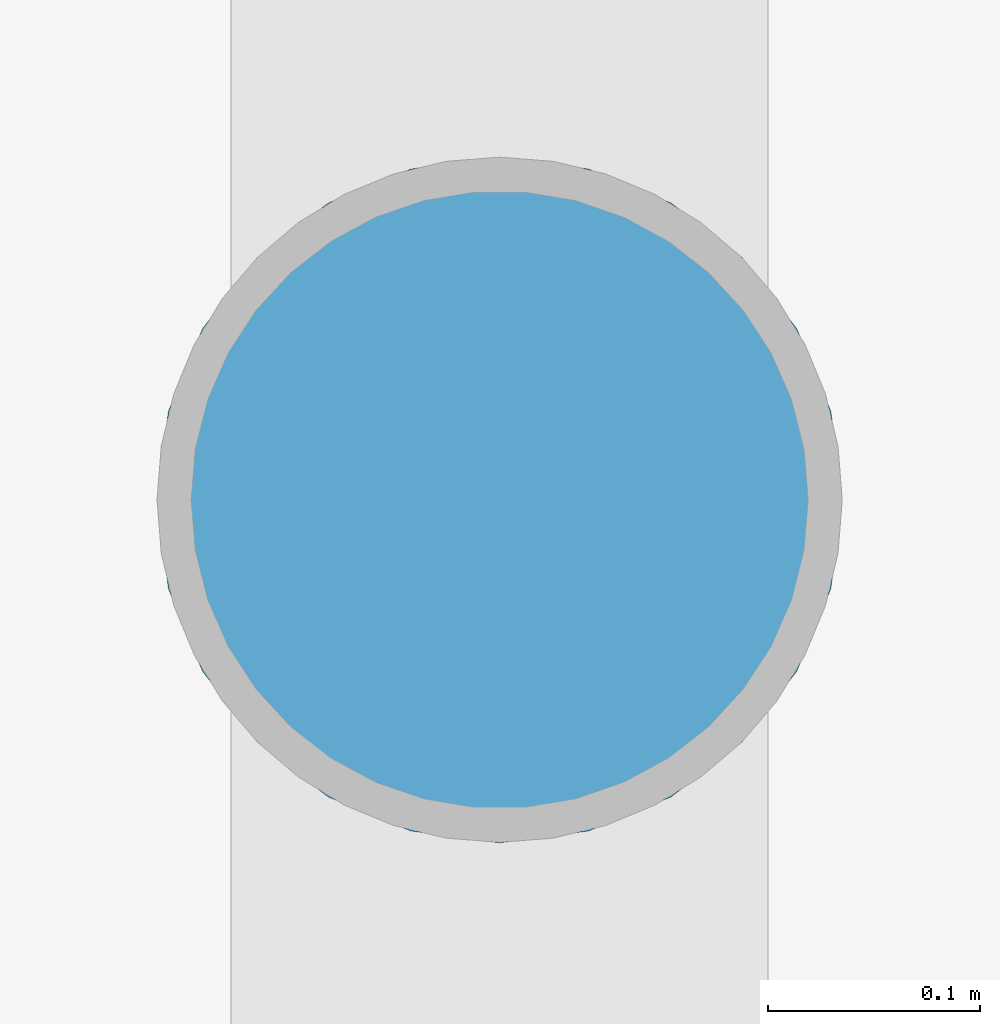
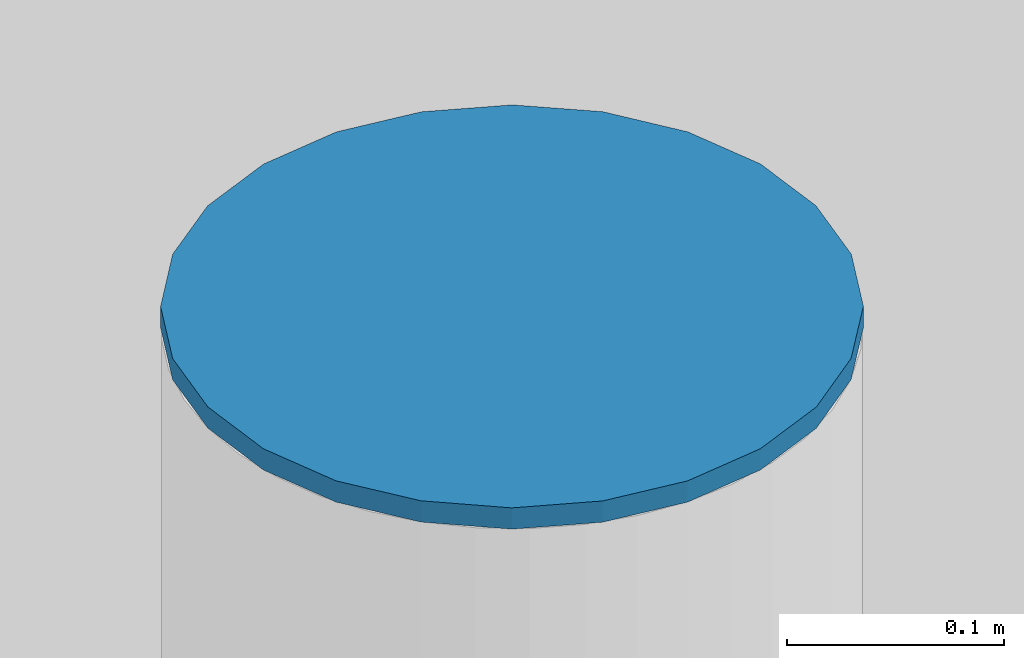
# One storey, part 50 of 84: 1 discrete accessory.
"""IFC4 building model written with IfcOpenShell, lengths in metres."""

from ifc_helpers import new_model, si_unit, direction, frame, origin, place, context, subcontext, project, spatial, polyline, outline, extrude, material, layer, layer_set, type_object, element, save


model = new_model("IFC4")

# Units and contexts
model_context = context("Model", 3, precision=1e-05, world=origin(), true_north=direction((0.0, 1.0)))
body_context = subcontext(model_context, "Body", "Model", "MODEL_VIEW")
ifc_project = project(units=[si_unit("LENGTHUNIT", "METRE"), si_unit("AREAUNIT", "SQUARE_METRE"), si_unit("VOLUMEUNIT", "CUBIC_METRE"), si_unit("PLANEANGLEUNIT", "RADIAN"), si_unit("MASSUNIT", "GRAM", prefix="KILO")], contexts=[model_context])

# Site, building, storey
site_placement = place(None, origin())
site = spatial("IfcSite", under=ifc_project, at=site_placement, CompositionType="ELEMENT")
building_placement = place(site_placement, origin())
building = spatial("IfcBuilding", under=site, at=building_placement, Name="Kisiwana Market Hall", CompositionType="ELEMENT")
storey_placement = place(building_placement, origin())
storey = spatial("IfcBuildingStorey", under=building, at=storey_placement, Name="L00", CompositionType="ELEMENT", Elevation=0.0)

# Discrete accessory
ifc_material = material(Name="Steel S355", Category="steel")
ifc_layer = layer(ifc_material, 0.011962890625)
ifc_layer_set = layer_set([ifc_layer], Name="ACC-ENDCAP-STL")
discrete_accessory_type = type_object("IfcDiscreteAccessoryType", Name="ACC-ENDCAP-STL", PredefinedType="USERDEFINED", material=ifc_layer_set)
discrete_accessory_placement = place(storey_placement, frame((0.0, 0.0, 5.800048828125)))
element("IfcDiscreteAccessory", 1, at=discrete_accessory_placement, inside=storey, type_object=discrete_accessory_type, Name="End cap plate EC-0124", ObjectType="End cap plate", PredefinedType="USERDEFINED", context=body_context, shape_type="SweptSolid", body=[
    extrude(outline(polyline([(135.161865234375, 80.60009765625), (135.156494140625, 80.641845703125), (135.140380859375, 80.680908203125), (135.114501953125, 80.714599609375), (135.0810546875, 80.740234375), (135.0419921875, 80.75634765625), (135.0, 80.761962890625), (134.9580078125, 80.75634765625), (134.9189453125, 80.740234375), (134.885498046875, 80.714599609375), (134.859619140625, 80.680908203125), (134.843505859375, 80.641845703125), (134.838134765625, 80.60009765625), (134.843505859375, 80.55810546875), (134.859619140625, 80.51904296875), (134.885498046875, 80.485595703125), (134.9189453125, 80.459716796875), (134.9580078125, 80.443603515625), (135.0, 80.43798828125), (135.0419921875, 80.443603515625), (135.0810546875, 80.459716796875), (135.114501953125, 80.485595703125), (135.140380859375, 80.51904296875), (135.156494140625, 80.55810546875), (135.161865234375, 80.60009765625)])), origin(), (0.0, 0.0, 1.0), 0.011962890625),
])

save(model, "model.ifc")
